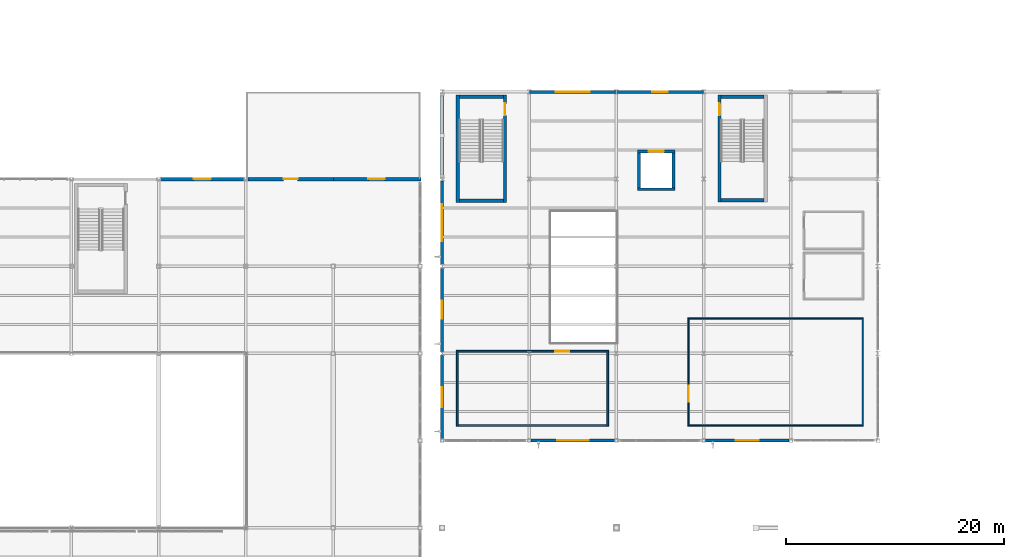
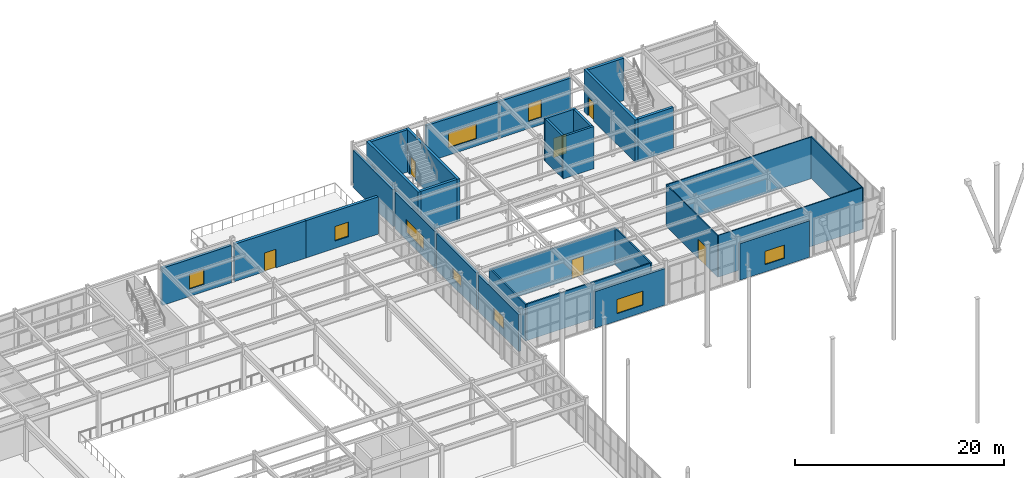
# One storey, part 59 of 77: 30 walls, 9 windows, 6 doors, 15 openings.
"""IFC4 building model written with IfcOpenShell, lengths in metres."""

import ifcopenshell
import ifcopenshell.guid

model = None  # the IFC model being written
_history = None  # IfcOwnerHistory: only IFC2X3 demands one
_inside = {}  # id of a spatial element -> (the spatial element, [elements in it])
_under = {}  # id of a project, library or spatial element -> (it, [spatial elements below it])
_declared = {}  # id of a project -> (the project, [libraries it declares])
_typed = {}  # id of a type object -> (the type object, [elements of that type])
_made_of = {}  # id of a material, layer set ... -> (it, [elements and type objects made of it])


def new_model(schema):
    """Start an empty IFC model of exactly this schema.

    Asked for "IFC4X3", IfcOpenShell would pick the latest addendum, in which some entities
    have other attributes; the version numbers below select the first issue.
    IFC2X3 requires an IfcOwnerHistory on every rooted entity: one is made here for all.
    """
    global model, _history
    if schema == "IFC4X3":
        model = ifcopenshell.file(schema_version=(4, 3, 0, 0))
    else:
        model = ifcopenshell.file(schema=schema)
    _inside.clear()
    _under.clear()
    _declared.clear()
    _typed.clear()
    _made_of.clear()
    _history = None
    if model.schema == "IFC2X3":
        org = make("IfcOrganization", Name="unknown")
        user = make(
            "IfcPersonAndOrganization",
            ThePerson=make("IfcPerson", FamilyName="unknown"),
            TheOrganization=org,
        )
        app = make(
            "IfcApplication",
            ApplicationDeveloper=org,
            Version="unknown",
            ApplicationFullName="unknown",
            ApplicationIdentifier="unknown",
        )
        _history = make(
            "IfcOwnerHistory",
            OwningUser=user,
            OwningApplication=app,
            ChangeAction="ADDED",
            CreationDate=0,
        )
    return model


def make(cls, **values):
    """One entity of the class cls with the attributes given. An attribute that is None is left unset."""
    return model.create_entity(
        cls, **{name: value for name, value in values.items() if value is not None}
    )


def rooted(cls, **values):
    """An entity with a GlobalId (a new one), such as an element, a storey or a relation."""
    return make(cls, GlobalId=ifcopenshell.guid.new(), OwnerHistory=_history, **values)


def si_unit(unit_type, name, prefix=None):
    """IfcSIUnit, for example si_unit("LENGTHUNIT", "METRE", prefix="MILLI")."""
    return make("IfcSIUnit", UnitType=unit_type, Prefix=prefix, Name=name)


def assignment(units):
    """IfcUnitAssignment: the units of a project."""
    return None if units is None else make("IfcUnitAssignment", Units=units)


def point(xyz):
    """IfcCartesianPoint."""
    return None if xyz is None else make("IfcCartesianPoint", Coordinates=xyz)


def direction(xyz):
    """IfcDirection."""
    return None if xyz is None else make("IfcDirection", DirectionRatios=xyz)


def frame(location, z_axis=None, x_axis=None):
    """IfcAxis2Placement3D, a coordinate frame: its origin and axes. An axis left out is left unset."""
    return make(
        "IfcAxis2Placement3D",
        Location=point(location),
        Axis=direction(z_axis),
        RefDirection=direction(x_axis),
    )


def frame_2d(location, x_axis=None):
    """IfcAxis2Placement2D, a coordinate frame in the plane: its origin and x axis."""
    return make(
        "IfcAxis2Placement2D", Location=point(location), RefDirection=direction(x_axis)
    )


def origin():
    """The frame at (0, 0, 0) with its axes left unset."""
    return frame((0.0, 0.0, 0.0))


def place(relative_to, where):
    """IfcLocalPlacement: puts the frame where relative to a parent placement (None: the world)."""
    return make(
        "IfcLocalPlacement", PlacementRelTo=relative_to, RelativePlacement=where
    )


def context(
    kind, dimensions, precision=None, world=None, true_north=None, identifier=None
):
    """IfcGeometricRepresentationContext, for example the 3D "Model" context."""
    return make(
        "IfcGeometricRepresentationContext",
        ContextIdentifier=identifier,
        ContextType=kind,
        CoordinateSpaceDimension=dimensions,
        Precision=precision,
        WorldCoordinateSystem=world,
        TrueNorth=true_north,
    )


def subcontext(parent, identifier, kind, view, scale=None):
    """IfcGeometricRepresentationSubContext, for example "Body" below "Model"."""
    return make(
        "IfcGeometricRepresentationSubContext",
        ContextIdentifier=identifier,
        ContextType=kind,
        ParentContext=parent,
        TargetScale=scale,
        TargetView=view,
    )


def project(units=None, contexts=None):
    """IfcProject with its units and contexts."""
    return rooted(
        "IfcProject",
        Name="project",
        RepresentationContexts=contexts,
        UnitsInContext=assignment(units),
    )


def spatial(cls, under=None, at=None, **own):
    """A site, building, storey or space (cls), placed at a placement, below another one or the project."""
    s = rooted(cls, ObjectPlacement=at, **own)
    if under is not None:
        _under.setdefault(under.id(), (under, []))[1].append(s)
    return s


def profile(cls, at=None, kind="AREA", **sizes):
    """A parametric profile (cls). Its sizes go by their IFC names, for example OverallWidth=200.0."""
    return make(cls, ProfileType=kind, Position=at, **sizes)


def rectangle(**sizes):
    """IfcRectangleProfileDef."""
    return profile("IfcRectangleProfileDef", **sizes)


def extrude(swept, where, along, depth):
    """IfcExtrudedAreaSolid: the profile swept, set in the frame where, extruded along a direction by depth."""
    return make(
        "IfcExtrudedAreaSolid",
        SweptArea=swept,
        Position=where,
        ExtrudedDirection=direction(along),
        Depth=depth,
    )


def shape(context_of_items, identifier, shape_type, items):
    """IfcShapeRepresentation: the items that make up one representation, for example the "Body"."""
    return make(
        "IfcShapeRepresentation",
        ContextOfItems=context_of_items,
        RepresentationIdentifier=identifier,
        RepresentationType=shape_type,
        Items=items,
    )


def material(Name=None, Category=None):
    """IfcMaterial."""
    return make("IfcMaterial", Name=Name, Category=Category)


def layer(
    of_material, thickness, ventilated=None, Name=None, Category=None, Priority=None
):
    """IfcMaterialLayer: one layer of a wall or slab, of a material (None: an air gap)."""
    return make(
        "IfcMaterialLayer",
        Material=of_material,
        LayerThickness=thickness,
        IsVentilated=ventilated,
        Name=Name,
        Category=Category,
        Priority=Priority,
    )


def layer_set(layers, Name=None):
    """IfcMaterialLayerSet."""
    return make("IfcMaterialLayerSet", MaterialLayers=layers, LayerSetName=Name)


def made_of(thing, what):
    """Note that an element or type object is made of a material, layer set ...; save() writes the relation."""
    if what is not None:
        _made_of.setdefault(what.id(), (what, []))[1].append(thing)
    return thing


def type_object(cls, material=None, **own):
    """A type object (cls), such as IfcWallType, which elements share."""
    return made_of(rooted(cls, **own), material)


def element(
    cls,
    number,
    at=None,
    inside=None,
    cuts=None,
    type_object=None,
    material=None,
    context=None,
    identifier="Body",
    shape_type=None,
    held_by="IfcProductDefinitionShape",
    body=None,
    shapes=None,
    **own,
):
    """One element of the class cls, such as IfcWall. Its Tag is "e" and its number.

    at: its placement. inside: the storey or other place that contains it. cuts: it is an
    opening in that element (IfcRelVoidsElement). A single representation is given by context,
    identifier, shape_type and body (its items); several are given by shapes. held_by: the class
    of the entity that holds the representations. save() writes the other relations.
    """
    e = rooted(cls, Tag="e%d" % number, ObjectPlacement=at, **own)
    if body is not None:
        shapes = [shape(context, identifier, shape_type, body)]
    if shapes is not None:
        e.Representation = make(held_by, Representations=shapes)
    if inside is not None:
        _inside.setdefault(inside.id(), (inside, []))[1].append(e)
    if cuts is not None:
        rooted(
            "IfcRelVoidsElement", RelatingBuildingElement=cuts, RelatedOpeningElement=e
        )
    if type_object is not None:
        _typed.setdefault(type_object.id(), (type_object, []))[1].append(e)
    return made_of(e, material)


def fill(opening, filler):
    """IfcRelFillsElement: the door or window that sits in an opening."""
    return rooted(
        "IfcRelFillsElement",
        RelatingOpeningElement=opening,
        RelatedBuildingElement=filler,
    )


def aggregate(whole, parts):
    """IfcRelAggregates: a whole, such as a stair, and the parts it consists of."""
    return rooted("IfcRelAggregates", RelatingObject=whole, RelatedObjects=parts)


def save(model, path):
    """Write the relations noted so far, then the file.

    IfcRelAggregates (storeys below a building ...), IfcRelContainedInSpatialStructure (elements
    in a storey), IfcRelDefinesByType, IfcRelAssociatesMaterial and IfcRelDeclares: one each for
    every whole, place, type object, material and project.
    """
    for whole, parts in _under.values():
        aggregate(whole, parts)
    for where, things in _inside.values():
        rooted(
            "IfcRelContainedInSpatialStructure",
            RelatedElements=things,
            RelatingStructure=where,
        )
    for kind, things in _typed.values():
        rooted("IfcRelDefinesByType", RelatedObjects=things, RelatingType=kind)
    for what, things in _made_of.values():
        rooted("IfcRelAssociatesMaterial", RelatedObjects=things, RelatingMaterial=what)
    for by, libraries in _declared.values():
        rooted("IfcRelDeclares", RelatingContext=by, RelatedDefinitions=libraries)
    model.write(path)


model = new_model("IFC4")

# Units and contexts
model_context = context("Model", 3, precision=1e-05, world=origin(), true_north=direction((0.0, 1.0)))
body_context = subcontext(model_context, "Body", "Model", "MODEL_VIEW")
ifc_project = project(units=[si_unit("LENGTHUNIT", "METRE"), si_unit("AREAUNIT", "SQUARE_METRE"), si_unit("VOLUMEUNIT", "CUBIC_METRE"), si_unit("PLANEANGLEUNIT", "RADIAN"), si_unit("MASSUNIT", "GRAM", prefix="KILO")], contexts=[model_context])

# Site, building, storey
site_placement = place(None, origin())
site = spatial("IfcSite", under=ifc_project, at=site_placement, CompositionType="ELEMENT")
building_placement = place(site_placement, origin())
building = spatial("IfcBuilding", under=site, at=building_placement, Name="Drelvath Fold Interchange", CompositionType="ELEMENT")
storey_placement = place(building_placement, frame((0.0, 0.0, 6.0)))
storey = spatial("IfcBuildingStorey", under=building, at=storey_placement, Name="L01", CompositionType="ELEMENT", Elevation=6.0)

# Wall
ifc_material_1 = material(Name="Concrete f'c 45 MPa (6500 psi)", Category="concrete")
ifc_layer_1 = layer(ifc_material_1, 0.300048828125, Name="Concrete f'c 45 MPa (6500 psi)")
ifc_layer_set_1 = layer_set([ifc_layer_1], Name="Concrete f'c 45 MPa (6500 psi)")
wall_type_1 = type_object("IfcWallType", Name="WL-CR300", PredefinedType="SHEAR", material=ifc_layer_set_1)
wall_1_placement = place(storey_placement, frame((103.60009765625, 97.0, 0.0), z_axis=(0.0, 0.0, 1.0), x_axis=(1.0, 0.0, 0.0)))
element("IfcWall", 1, at=wall_1_placement, inside=storey, type_object=wall_type_1, Name="ST-07 L01 south core wall", PredefinedType="SHEAR", context=body_context, shape_type="SweptSolid", body=[
    extrude(rectangle(XDim=4.02001953125, YDim=0.300048828125, at=frame_2d((2.010009765625, 0.0))), origin(), (0.0, 0.0, 1.0), 4.945068359375),
])

# Wall, opening, door
wall_2_placement = place(storey_placement, frame((107.77001953125, 96.85009765625, 0.0), z_axis=(0.0, 0.0, 1.0), x_axis=(0.0, 1.0, 0.0)))
wall_2 = element("IfcWall", 2, at=wall_2_placement, inside=storey, type_object=wall_type_1, Name="ST-07 L01 east core wall", PredefinedType="SHEAR", context=body_context, shape_type="SweptSolid", body=[
    extrude(rectangle(XDim=9.849853515625, YDim=0.300048828125, at=frame_2d((4.9248046875, 0.0))), origin(), (0.0, 0.0, 1.0), 4.945068359375),
])
opening_1_placement = place(wall_2_placement, frame((8.0, 0.0, 0.0)))
opening_1 = element("IfcOpeningElement", 3, at=opening_1_placement, cuts=wall_2, Name="Opening D-L01-043", PredefinedType="OPENING", context=body_context, shape_type="SweptSolid", body=[
    extrude(rectangle(XDim=1.10009765625, YDim=2.14990234375, at=frame_2d((0.550048828125, 1.074951171875))), frame((0.0, 0.159912109375, 0.0), z_axis=(0.0, -1.0, 0.0), x_axis=(1.0, 0.0, 0.0)), (0.0, 0.0, 1.0), 0.320068359375),
])
ifc_material_2 = material(Name="Insulated Hollow Metal Door Assembly")
door_type_1 = type_object("IfcDoorType", Name="DR-ST1100", OperationType="NOTDEFINED", PredefinedType="DOOR", material=ifc_material_2)
door_1_placement = place(opening_1_placement, origin())
door_1 = element("IfcDoor", 4, at=door_1_placement, inside=storey, type_object=door_type_1, Name="ST-07 L01 stair fire door D-L01-043", OperationType="SINGLE_SWING_LEFT", OverallHeight=2.14990234375, OverallWidth=1.10009765625, PredefinedType="DOOR", context=body_context, shape_type="SweptSolid", body=[
    extrude(rectangle(XDim=1.10009765625, YDim=2.14990234375, at=frame_2d((0.550048828125, 1.074951171875))), frame((0.0, 0.02490234375, 0.0), z_axis=(0.0, -1.0, 0.0), x_axis=(1.0, 0.0, 0.0)), (0.0, 0.0, 1.0), 0.050048828125),
])
fill(opening_1, door_1)

# Walls
wall_3_placement = place(storey_placement, frame((107.6201171875, 106.550048828125, 0.0), z_axis=(0.0, 0.0, 1.0), x_axis=(-1.0, 0.0, 0.0)))
element("IfcWall", 5, at=wall_3_placement, inside=storey, type_object=wall_type_1, Name="ST-07 L01 north core wall", PredefinedType="SHEAR", context=body_context, shape_type="SweptSolid", body=[
    extrude(rectangle(XDim=4.02001953125, YDim=0.300048828125, at=frame_2d((2.010009765625, 0.0))), origin(), (0.0, 0.0, 1.0), 4.945068359375),
])
wall_4_placement = place(storey_placement, frame((103.449951171875, 106.699951171875, 0.0), z_axis=(0.0, 0.0, 1.0), x_axis=(0.0, -1.0, 0.0)))
element("IfcWall", 6, at=wall_4_placement, inside=storey, type_object=wall_type_1, Name="ST-07 L01 west core wall", PredefinedType="SHEAR", context=body_context, shape_type="SweptSolid", body=[
    extrude(rectangle(XDim=9.849853515625, YDim=0.300048828125, at=frame_2d((4.9248046875, 0.0))), origin(), (0.0, 0.0, 1.0), 4.945068359375),
])
for number, where, z_axis, x_axis, name in (
    (7, (127.60009765625, 97.050048828125, 0.0), (0.0, 0.0, 1.0), (1.0, 0.0, 0.0), "ST-08 L01 south core wall"),
    (8, (131.5400390625, 106.550048828125, 0.0), (0.0, 0.0, 1.0), (-1.0, 0.0, 0.0), "ST-08 L01 north core wall"),
):
    element("IfcWall", number, at=place(storey_placement, frame(where, z_axis=z_axis, x_axis=x_axis)), inside=storey, type_object=wall_type_1, Name=name, PredefinedType="SHEAR", context=body_context, shape_type="SweptSolid", body=[
        extrude(rectangle(XDim=3.93994140625, YDim=0.300048828125, at=frame_2d((1.969970703125, 0.0))), origin(), (0.0, 0.0, 1.0), 4.945068359375),
    ])

# Wall, opening, door
wall_5_placement = place(storey_placement, frame((127.449951171875, 106.699951171875, 0.0), z_axis=(0.0, 0.0, 1.0), x_axis=(0.0, -1.0, 0.0)))
wall_5 = element("IfcWall", 9, at=wall_5_placement, inside=storey, type_object=wall_type_1, Name="ST-08 L01 west core wall", PredefinedType="SHEAR", context=body_context, shape_type="SweptSolid", body=[
    extrude(rectangle(XDim=9.800048828125, YDim=0.300048828125, at=frame_2d((4.89990234375, 0.0))), origin(), (0.0, 0.0, 1.0), 4.945068359375),
])
opening_2_placement = place(wall_5_placement, frame((0.75, 0.0, 0.0)))
opening_2 = element("IfcOpeningElement", 10, at=opening_2_placement, cuts=wall_5, Name="Opening D-L01-046", PredefinedType="OPENING", context=body_context, shape_type="SweptSolid", body=[
    extrude(rectangle(XDim=1.10009765625, YDim=2.14990234375, at=frame_2d((0.550048828125, 1.074951171875))), frame((0.0, 0.159912109375, 0.0), z_axis=(0.0, -1.0, 0.0), x_axis=(1.0, 0.0, 0.0)), (0.0, 0.0, 1.0), 0.320068359375),
])
door_2_placement = place(opening_2_placement, origin())
door_2 = element("IfcDoor", 11, at=door_2_placement, inside=storey, type_object=door_type_1, Name="ST-08 L01 stair fire door D-L01-046", OperationType="SINGLE_SWING_RIGHT", OverallHeight=2.14990234375, OverallWidth=1.10009765625, PredefinedType="DOOR", context=body_context, shape_type="SweptSolid", body=[
    extrude(rectangle(XDim=1.10009765625, YDim=2.14990234375, at=frame_2d((0.550048828125, 1.074951171875))), frame((0.0, 0.02490234375, 0.0), z_axis=(0.0, -1.0, 0.0), x_axis=(1.0, 0.0, 0.0)), (0.0, 0.0, 1.0), 0.050048828125),
])
fill(opening_2, door_2)

# Wall, opening, window
ifc_material_3 = material(Name="Perforated Anodized Aluminium Rainscreen", Category="aluminium")
ifc_layer_2 = layer(ifc_material_3, 0.27490234375, Name="Perforated Anodized Aluminium Rainscreen")
ifc_layer_set_2 = layer_set([ifc_layer_2], Name="Perforated Anodized Aluminium Rainscreen")
wall_type_2 = type_object("IfcWallType", Name="WL-EXT275", PredefinedType="SOLIDWALL", material=ifc_layer_set_2)
wall_6_placement = place(storey_placement, frame((110.14794921875, 75.0, 0.0), z_axis=(0.0, 0.0, 1.0), x_axis=(1.0, 0.0, 0.0)))
wall_6 = element("IfcWall", 12, at=wall_6_placement, inside=storey, type_object=wall_type_2, Name="L01 exterior facade wall 37", PredefinedType="SOLIDWALL", context=body_context, shape_type="SweptSolid", body=[
    extrude(rectangle(XDim=7.7041015625, YDim=0.27490234375, at=frame_2d((3.85205078125, 0.0))), origin(), (0.0, 0.0, 1.0), 4.26806640625),
])
opening_3_placement = place(wall_6_placement, frame((2.402099609375, 0.0, 0.85009765625)))
opening_3 = element("IfcOpeningElement", 13, at=opening_3_placement, cuts=wall_6, Name="Opening W-L01-034", PredefinedType="OPENING", context=body_context, shape_type="SweptSolid", body=[
    extrude(rectangle(XDim=2.89990234375, YDim=1.64990234375, at=frame_2d((1.449951171875, 0.824951171875))), frame((0.0, 0.1474609375, 0.0), z_axis=(0.0, -1.0, 0.0), x_axis=(1.0, 0.0, 0.0)), (0.0, 0.0, 1.0), 0.294921875),
])
ifc_material_4 = material(Name="Low-Iron Insulated Laminated Glass", Category="glass")
window_type_1 = type_object("IfcWindowType", Name="WN-290x165", PartitioningType="TRIPLE_PANEL_VERTICAL", PredefinedType="WINDOW", material=ifc_material_4)
window_1_placement = place(opening_3_placement, origin())
window_1 = element("IfcWindow", 14, at=window_1_placement, inside=storey, type_object=window_type_1, Name="Facade window W-L01-034", OverallHeight=1.64990234375, OverallWidth=2.89990234375, PartitioningType="SINGLE_PANEL", PredefinedType="WINDOW", context=body_context, shape_type="SweptSolid", body=[
    extrude(rectangle(XDim=2.89990234375, YDim=1.64990234375, at=frame_2d((1.449951171875, 0.824951171875))), frame((0.0, 0.030029296875, 0.0), z_axis=(0.0, -1.0, 0.0), x_axis=(1.0, 0.0, 0.0)), (0.0, 0.0, 1.0), 0.06005859375),
])
fill(opening_3, window_1)

wall_7_placement = place(storey_placement, frame((126.14794921875, 75.0, 0.0), z_axis=(0.0, 0.0, 1.0), x_axis=(1.0, 0.0, 0.0)))
wall_7 = element("IfcWall", 15, at=wall_7_placement, inside=storey, type_object=wall_type_2, Name="L01 exterior facade wall 38", PredefinedType="SOLIDWALL", context=body_context, shape_type="SweptSolid", body=[
    extrude(rectangle(XDim=7.703125, YDim=0.27490234375, at=frame_2d((3.8515625, 0.0))), origin(), (0.0, 0.0, 1.0), 4.26806640625),
])
opening_4_placement = place(wall_7_placement, frame((2.777099609375, 0.0, 0.85009765625)))
opening_4 = element("IfcOpeningElement", 16, at=opening_4_placement, cuts=wall_7, Name="Opening W-L01-035", PredefinedType="OPENING", context=body_context, shape_type="SweptSolid", body=[
    extrude(rectangle(XDim=2.14990234375, YDim=1.550048828125, at=frame_2d((1.074951171875, 0.77490234375))), frame((0.0, 0.1474609375, 0.0), z_axis=(0.0, -1.0, 0.0), x_axis=(1.0, 0.0, 0.0)), (0.0, 0.0, 1.0), 0.294921875),
])
window_type_2 = type_object("IfcWindowType", Name="WN-215x155", PartitioningType="DOUBLE_PANEL_VERTICAL", PredefinedType="WINDOW", material=ifc_material_4)
window_2_placement = place(opening_4_placement, origin())
window_2 = element("IfcWindow", 17, at=window_2_placement, inside=storey, type_object=window_type_2, Name="Facade window W-L01-035", OverallHeight=1.550048828125, OverallWidth=2.14990234375, PartitioningType="SINGLE_PANEL", PredefinedType="WINDOW", context=body_context, shape_type="SweptSolid", body=[
    extrude(rectangle(XDim=2.14990234375, YDim=1.550048828125, at=frame_2d((1.074951171875, 0.77490234375))), frame((0.0, 0.030029296875, 0.0), z_axis=(0.0, -1.0, 0.0), x_axis=(1.0, 0.0, 0.0)), (0.0, 0.0, 1.0), 0.06005859375),
])
fill(opening_4, window_2)

wall_8_placement = place(storey_placement, frame((102.0, 75.14794921875, 0.0), z_axis=(0.0, 0.0, 1.0), x_axis=(0.0, 1.0, 0.0)))
wall_8 = element("IfcWall", 18, at=wall_8_placement, inside=storey, type_object=wall_type_2, Name="L01 exterior facade wall 39", PredefinedType="SOLIDWALL", context=body_context, shape_type="SweptSolid", body=[
    extrude(rectangle(XDim=7.677978515625, YDim=0.27490234375, at=frame_2d((3.8388671875, 0.0))), origin(), (0.0, 0.0, 1.0), 4.300048828125),
])
opening_5_placement = place(wall_8_placement, frame((2.9140625, 0.0, 0.85009765625)))
opening_5 = element("IfcOpeningElement", 19, at=opening_5_placement, cuts=wall_8, Name="Opening W-L01-036", PredefinedType="OPENING", context=body_context, shape_type="SweptSolid", body=[
    extrude(rectangle(XDim=1.85009765625, YDim=1.39990234375, at=frame_2d((0.925048828125, 0.699951171875))), frame((0.0, 0.1474609375, 0.0), z_axis=(0.0, -1.0, 0.0), x_axis=(1.0, 0.0, 0.0)), (0.0, 0.0, 1.0), 0.294921875),
])
window_type_3 = type_object("IfcWindowType", Name="WN-185x140", PartitioningType="DOUBLE_PANEL_VERTICAL", PredefinedType="WINDOW", material=ifc_material_4)
window_3_placement = place(opening_5_placement, origin())
window_3 = element("IfcWindow", 20, at=window_3_placement, inside=storey, type_object=window_type_3, Name="Facade window W-L01-036", OverallHeight=1.39990234375, OverallWidth=1.85009765625, PartitioningType="SINGLE_PANEL", PredefinedType="WINDOW", context=body_context, shape_type="SweptSolid", body=[
    extrude(rectangle(XDim=1.85009765625, YDim=1.39990234375, at=frame_2d((0.925048828125, 0.699951171875))), frame((0.0, 0.030029296875, 0.0), z_axis=(0.0, -1.0, 0.0), x_axis=(1.0, 0.0, 0.0)), (0.0, 0.0, 1.0), 0.06005859375),
])
fill(opening_5, window_3)

wall_9_placement = place(storey_placement, frame((102.0, 83.174072265625, 0.0), z_axis=(0.0, 0.0, 1.0), x_axis=(0.0, 1.0, 0.0)))
wall_9 = element("IfcWall", 21, at=wall_9_placement, inside=storey, type_object=wall_type_2, Name="L01 exterior facade wall 40", PredefinedType="SOLIDWALL", context=body_context, shape_type="SweptSolid", body=[
    extrude(rectangle(XDim=7.65185546875, YDim=0.27490234375, at=frame_2d((3.825927734375, 0.0))), origin(), (0.0, 0.0, 1.0), 4.300048828125),
])
opening_6_placement = place(wall_9_placement, frame((3.0009765625, 0.0, 0.85009765625)))
opening_6 = element("IfcOpeningElement", 22, at=opening_6_placement, cuts=wall_9, Name="Opening W-L01-037", PredefinedType="OPENING", context=body_context, shape_type="SweptSolid", body=[
    extrude(rectangle(XDim=1.64990234375, YDim=1.300048828125, at=frame_2d((0.824951171875, 0.64990234375))), frame((0.0, 0.1474609375, 0.0), z_axis=(0.0, -1.0, 0.0), x_axis=(1.0, 0.0, 0.0)), (0.0, 0.0, 1.0), 0.294921875),
])
window_type_4 = type_object("IfcWindowType", Name="WN-165x130", PartitioningType="SINGLE_PANEL", PredefinedType="WINDOW", material=ifc_material_4)
window_4_placement = place(opening_6_placement, origin())
window_4 = element("IfcWindow", 23, at=window_4_placement, inside=storey, type_object=window_type_4, Name="Facade window W-L01-037", OverallHeight=1.300048828125, OverallWidth=1.64990234375, PartitioningType="SINGLE_PANEL", PredefinedType="WINDOW", context=body_context, shape_type="SweptSolid", body=[
    extrude(rectangle(XDim=1.64990234375, YDim=1.300048828125, at=frame_2d((0.824951171875, 0.64990234375))), frame((0.0, 0.030029296875, 0.0), z_axis=(0.0, -1.0, 0.0), x_axis=(1.0, 0.0, 0.0)), (0.0, 0.0, 1.0), 0.06005859375),
])
fill(opening_6, window_4)

wall_10_placement = place(storey_placement, frame((102.0, 91.174072265625, 0.0), z_axis=(0.0, 0.0, 1.0), x_axis=(0.0, 1.0, 0.0)))
wall_10 = element("IfcWall", 24, at=wall_10_placement, inside=storey, type_object=wall_type_2, Name="L01 exterior facade wall 41", PredefinedType="SOLIDWALL", context=body_context, shape_type="SweptSolid", body=[
    extrude(rectangle(XDim=7.65185546875, YDim=0.27490234375, at=frame_2d((3.825927734375, 0.0))), origin(), (0.0, 0.0, 1.0), 4.300048828125),
])
opening_7_placement = place(wall_10_placement, frame((2.1259765625, 0.0, 0.85009765625)))
opening_7 = element("IfcOpeningElement", 25, at=opening_7_placement, cuts=wall_10, Name="Opening W-L01-038", PredefinedType="OPENING", context=body_context, shape_type="SweptSolid", body=[
    extrude(rectangle(XDim=3.39990234375, YDim=1.550048828125, at=frame_2d((1.699951171875, 0.77490234375))), frame((0.0, 0.1474609375, 0.0), z_axis=(0.0, -1.0, 0.0), x_axis=(1.0, 0.0, 0.0)), (0.0, 0.0, 1.0), 0.294921875),
])
window_type_5 = type_object("IfcWindowType", Name="WN-340x155", PartitioningType="TRIPLE_PANEL_HORIZONTAL", PredefinedType="WINDOW", material=ifc_material_4)
window_5_placement = place(opening_7_placement, origin())
window_5 = element("IfcWindow", 26, at=window_5_placement, inside=storey, type_object=window_type_5, Name="Facade window W-L01-038", OverallHeight=1.550048828125, OverallWidth=3.39990234375, PartitioningType="SINGLE_PANEL", PredefinedType="WINDOW", context=body_context, shape_type="SweptSolid", body=[
    extrude(rectangle(XDim=3.39990234375, YDim=1.550048828125, at=frame_2d((1.699951171875, 0.77490234375))), frame((0.0, 0.030029296875, 0.0), z_axis=(0.0, -1.0, 0.0), x_axis=(1.0, 0.0, 0.0)), (0.0, 0.0, 1.0), 0.06005859375),
])
fill(opening_7, window_5)

# Wall
wall_11_placement = place(storey_placement, frame((102.0, 99.174072265625, 0.0), z_axis=(0.0, 0.0, 1.0), x_axis=(0.0, 1.0, 0.0)))
element("IfcWall", 27, at=wall_11_placement, inside=storey, type_object=wall_type_2, Name="L01 exterior facade wall 42", PredefinedType="SOLIDWALL", context=body_context, shape_type="SweptSolid", body=[
    extrude(rectangle(XDim=7.65185546875, YDim=0.27490234375, at=frame_2d((3.825927734375, 0.0))), origin(), (0.0, 0.0, 1.0), 4.300048828125),
])

# Wall, opening, window
wall_12_placement = place(storey_placement, frame((110.008056640625, 107.0, 0.0), z_axis=(0.0, 0.0, 1.0), x_axis=(1.0, 0.0, 0.0)))
wall_12 = element("IfcWall", 28, at=wall_12_placement, inside=storey, type_object=wall_type_2, Name="L01 exterior facade wall 43", PredefinedType="SOLIDWALL", context=body_context, shape_type="SweptSolid", body=[
    extrude(rectangle(XDim=7.98388671875, YDim=0.27490234375, at=frame_2d((3.991943359375, 0.0))), origin(), (0.0, 0.0, 1.0), 4.300048828125),
])
opening_8_placement = place(wall_12_placement, frame((2.44189453125, 0.0, 0.85009765625)))
opening_8 = element("IfcOpeningElement", 29, at=opening_8_placement, cuts=wall_12, Name="Opening W-L01-039", PredefinedType="OPENING", context=body_context, shape_type="SweptSolid", body=[
    extrude(rectangle(XDim=3.10009765625, YDim=1.75, at=frame_2d((1.550048828125, 0.875))), frame((0.0, 0.1474609375, 0.0), z_axis=(0.0, -1.0, 0.0), x_axis=(1.0, 0.0, 0.0)), (0.0, 0.0, 1.0), 0.294921875),
])
window_type_6 = type_object("IfcWindowType", Name="WN-310x175", PartitioningType="TRIPLE_PANEL_HORIZONTAL", PredefinedType="WINDOW", material=ifc_material_4)
window_6_placement = place(opening_8_placement, origin())
window_6 = element("IfcWindow", 30, at=window_6_placement, inside=storey, type_object=window_type_6, Name="Facade window W-L01-039", OverallHeight=1.75, OverallWidth=3.10009765625, PartitioningType="SINGLE_PANEL", PredefinedType="WINDOW", context=body_context, shape_type="SweptSolid", body=[
    extrude(rectangle(XDim=3.10009765625, YDim=1.75, at=frame_2d((1.550048828125, 0.875))), frame((0.0, 0.030029296875, 0.0), z_axis=(0.0, -1.0, 0.0), x_axis=(1.0, 0.0, 0.0)), (0.0, 0.0, 1.0), 0.06005859375),
])
fill(opening_8, window_6)

wall_13_placement = place(storey_placement, frame((118.008056640625, 107.0, 0.0), z_axis=(0.0, 0.0, 1.0), x_axis=(1.0, 0.0, 0.0)))
wall_13 = element("IfcWall", 31, at=wall_13_placement, inside=storey, type_object=wall_type_2, Name="L01 exterior facade wall 44", PredefinedType="SOLIDWALL", context=body_context, shape_type="SweptSolid", body=[
    extrude(rectangle(XDim=7.98388671875, YDim=0.27490234375, at=frame_2d((3.991943359375, 0.0))), origin(), (0.0, 0.0, 1.0), 4.300048828125),
])
opening_9_placement = place(wall_13_placement, frame((3.26708984375, 0.0, 0.85009765625)))
opening_9 = element("IfcOpeningElement", 32, at=opening_9_placement, cuts=wall_13, Name="Opening W-L01-040", PredefinedType="OPENING", context=body_context, shape_type="SweptSolid", body=[
    extrude(rectangle(XDim=1.449951171875, YDim=2.050048828125, at=frame_2d((0.72509765625, 1.02490234375))), frame((0.0, 0.1474609375, 0.0), z_axis=(0.0, -1.0, 0.0), x_axis=(1.0, 0.0, 0.0)), (0.0, 0.0, 1.0), 0.294921875),
])
window_type_7 = type_object("IfcWindowType", Name="WN-145x205", PartitioningType="SINGLE_PANEL", PredefinedType="WINDOW", material=ifc_material_4)
window_7_placement = place(opening_9_placement, origin())
window_7 = element("IfcWindow", 33, at=window_7_placement, inside=storey, type_object=window_type_7, Name="Facade window W-L01-040", OverallHeight=2.050048828125, OverallWidth=1.449951171875, PartitioningType="SINGLE_PANEL", PredefinedType="WINDOW", context=body_context, shape_type="SweptSolid", body=[
    extrude(rectangle(XDim=1.449951171875, YDim=2.050048828125, at=frame_2d((0.72509765625, 1.02490234375))), frame((0.0, 0.030029296875, 0.0), z_axis=(0.0, -1.0, 0.0), x_axis=(1.0, 0.0, 0.0)), (0.0, 0.0, 1.0), 0.06005859375),
])
fill(opening_9, window_7)

ifc_material_5 = material(Name="Precast concrete f'c 40 MPa (6000 psi)", Category="concrete")
ifc_layer_3 = layer(ifc_material_5, 0.31494140625, Name="Precast concrete f'c 40 MPa (6000 psi)")
ifc_layer_set_3 = layer_set([ifc_layer_3], Name="Precast concrete f'c 40 MPa (6000 psi)")
wall_type_3 = type_object("IfcWallType", Name="WL-EXT315", PredefinedType="SOLIDWALL", material=ifc_layer_set_3)
wall_14_placement = place(storey_placement, frame((76.174072265625, 99.0, 0.0), z_axis=(0.0, 0.0, 1.0), x_axis=(1.0, 0.0, 0.0)))
wall_14 = element("IfcWall", 34, at=wall_14_placement, inside=storey, type_object=wall_type_3, Name="L01 exterior facade wall 12", PredefinedType="SOLIDWALL", context=body_context, shape_type="SweptSolid", body=[
    extrude(rectangle(XDim=7.65185546875, YDim=0.31494140625, at=frame_2d((3.825927734375, 0.0))), origin(), (0.0, 0.0, 1.0), 4.35009765625),
])
opening_10_placement = place(wall_14_placement, frame((3.02587890625, 0.0, 0.85009765625)))
opening_10 = element("IfcOpeningElement", 35, at=opening_10_placement, cuts=wall_14, Name="Opening W-L01-012", PredefinedType="OPENING", context=body_context, shape_type="SweptSolid", body=[
    extrude(rectangle(XDim=1.60009765625, YDim=1.800048828125, at=frame_2d((0.800048828125, 0.89990234375))), frame((0.0, 0.16748046875, 0.0), z_axis=(0.0, -1.0, 0.0), x_axis=(1.0, 0.0, 0.0)), (0.0, 0.0, 1.0), 0.3349609375),
])
window_type_8 = type_object("IfcWindowType", Name="WN-160x180", PartitioningType="SINGLE_PANEL", PredefinedType="WINDOW", material=ifc_material_4)
window_8_placement = place(opening_10_placement, origin())
window_8 = element("IfcWindow", 36, at=window_8_placement, inside=storey, type_object=window_type_8, Name="Facade window W-L01-012", OverallHeight=1.800048828125, OverallWidth=1.60009765625, PartitioningType="SINGLE_PANEL", PredefinedType="WINDOW", context=body_context, shape_type="SweptSolid", body=[
    extrude(rectangle(XDim=1.60009765625, YDim=1.800048828125, at=frame_2d((0.800048828125, 0.89990234375))), frame((0.0, 0.030029296875, 0.0), z_axis=(0.0, -1.0, 0.0), x_axis=(1.0, 0.0, 0.0)), (0.0, 0.0, 1.0), 0.06005859375),
])
fill(opening_10, window_8)

# Wall, opening, door
wall_15_placement = place(storey_placement, frame((84.174072265625, 99.0, 0.0), z_axis=(0.0, 0.0, 1.0), x_axis=(1.0, 0.0, 0.0)))
wall_15 = element("IfcWall", 37, at=wall_15_placement, inside=storey, type_object=wall_type_3, Name="L01 exterior facade wall 13", PredefinedType="SOLIDWALL", context=body_context, shape_type="SweptSolid", body=[
    extrude(rectangle(XDim=7.870849609375, YDim=0.31494140625, at=frame_2d((3.935546875, 0.0))), origin(), (0.0, 0.0, 1.0), 4.35009765625),
])
opening_11_placement = place(wall_15_placement, frame((3.284912109375, 0.0, 0.0)))
opening_11 = element("IfcOpeningElement", 38, at=opening_11_placement, cuts=wall_15, Name="Opening D-L01-064", PredefinedType="OPENING", context=body_context, shape_type="SweptSolid", body=[
    extrude(rectangle(XDim=1.300048828125, YDim=2.179931640625, at=frame_2d((0.64990234375, 1.08984375))), frame((0.0, 0.16748046875, 0.0), z_axis=(0.0, -1.0, 0.0), x_axis=(1.0, 0.0, 0.0)), (0.0, 0.0, 1.0), 0.3349609375),
])
ifc_material_6 = material(Name="Anodized Aluminium Glazed Door Assembly", Category="aluminium")
door_type_2 = type_object("IfcDoorType", Name="DR-TR1300", OperationType="NOTDEFINED", PredefinedType="DOOR", material=ifc_material_6)
door_3_placement = place(opening_11_placement, origin())
door_3 = element("IfcDoor", 39, at=door_3_placement, inside=storey, type_object=door_type_2, Name="L01 outdoor terrace access door D-L01-064", OperationType="SINGLE_SWING_LEFT", OverallHeight=2.179931640625, OverallWidth=1.300048828125, PredefinedType="DOOR", context=body_context, shape_type="SweptSolid", body=[
    extrude(rectangle(XDim=1.300048828125, YDim=2.179931640625, at=frame_2d((0.64990234375, 1.08984375))), frame((0.0, 0.02490234375, 0.0), z_axis=(0.0, -1.0, 0.0), x_axis=(1.0, 0.0, 0.0)), (0.0, 0.0, 1.0), 0.050048828125),
])
fill(opening_11, door_3)

# Wall, opening, window
wall_16_placement = place(storey_placement, frame((91.955078125, 99.0, 0.0), z_axis=(0.0, 0.0, 1.0), x_axis=(1.0, 0.0, 0.0)))
wall_16 = element("IfcWall", 40, at=wall_16_placement, inside=storey, type_object=wall_type_3, Name="L01 exterior facade wall 14", PredefinedType="SOLIDWALL", context=body_context, shape_type="SweptSolid", body=[
    extrude(rectangle(XDim=8.08984375, YDim=0.31494140625, at=frame_2d((4.044921875, 0.0))), origin(), (0.0, 0.0, 1.0), 4.35009765625),
])
opening_12_placement = place(wall_16_placement, frame((3.294921875, 0.0, 0.85009765625)))
opening_12 = element("IfcOpeningElement", 41, at=opening_12_placement, cuts=wall_16, Name="Opening W-L01-013", PredefinedType="OPENING", context=body_context, shape_type="SweptSolid", body=[
    extrude(rectangle(XDim=1.5, YDim=1.699951171875, at=frame_2d((0.75, 0.85009765625))), frame((0.0, 0.16748046875, 0.0), z_axis=(0.0, -1.0, 0.0), x_axis=(1.0, 0.0, 0.0)), (0.0, 0.0, 1.0), 0.3349609375),
])
window_type_9 = type_object("IfcWindowType", Name="WN-150x170", PartitioningType="SINGLE_PANEL", PredefinedType="WINDOW", material=ifc_material_4)
window_9_placement = place(opening_12_placement, origin())
window_9 = element("IfcWindow", 42, at=window_9_placement, inside=storey, type_object=window_type_9, Name="Facade window W-L01-013", OverallHeight=1.699951171875, OverallWidth=1.5, PartitioningType="SINGLE_PANEL", PredefinedType="WINDOW", context=body_context, shape_type="SweptSolid", body=[
    extrude(rectangle(XDim=1.5, YDim=1.699951171875, at=frame_2d((0.75, 0.85009765625))), frame((0.0, 0.030029296875, 0.0), z_axis=(0.0, -1.0, 0.0), x_axis=(1.0, 0.0, 0.0)), (0.0, 0.0, 1.0), 0.06005859375),
])
fill(opening_12, window_9)

# Walls
ifc_material_7 = material(Name="Fire-Rated Gypsum Board Assembly")
ifc_layer_4 = layer(ifc_material_7, 0.159912109375, Name="Fire-Rated Gypsum Board Assembly")
ifc_layer_set_4 = layer_set([ifc_layer_4], Name="Fire-Rated Gypsum Board Assembly")
wall_type_4 = type_object("IfcWallType", Name="WL-FR160", PredefinedType="PARTITIONING", material=ifc_layer_set_4)
wall_17_placement = place(storey_placement, frame((103.47998046875, 76.39990234375, 0.0), z_axis=(0.0, 0.0, 1.0), x_axis=(1.0, 0.0, 0.0)))
element("IfcWall", 43, at=wall_17_placement, inside=storey, type_object=wall_type_4, Name="Electric Bike Charging Studio S partition", PredefinedType="PARTITIONING", context=body_context, shape_type="SweptSolid", body=[
    extrude(rectangle(XDim=13.64013671875, YDim=0.159912109375, at=frame_2d((6.820068359375, 0.0))), origin(), (0.0, 0.0, 1.0), 4.26806640625),
])
wall_18_placement = place(storey_placement, frame((117.199951171875, 76.320068359375, 0.0), z_axis=(0.0, 0.0, 1.0), x_axis=(0.0, 1.0, 0.0)))
element("IfcWall", 44, at=wall_18_placement, inside=storey, type_object=wall_type_4, Name="Electric Bike Charging Studio E partition", PredefinedType="PARTITIONING", context=body_context, shape_type="SweptSolid", body=[
    extrude(rectangle(XDim=6.9599609375, YDim=0.159912109375, at=frame_2d((3.47998046875, 0.0))), origin(), (0.0, 0.0, 1.0), 4.26806640625),
])

# Wall, opening, door
wall_19_placement = place(storey_placement, frame((117.1201171875, 83.199951171875, 0.0), z_axis=(0.0, 0.0, 1.0), x_axis=(-1.0, 0.0, 0.0)))
wall_19 = element("IfcWall", 45, at=wall_19_placement, inside=storey, type_object=wall_type_4, Name="Electric Bike Charging Studio N partition", PredefinedType="PARTITIONING", context=body_context, shape_type="SweptSolid", body=[
    extrude(rectangle(XDim=13.64013671875, YDim=0.159912109375, at=frame_2d((6.820068359375, 0.0))), origin(), (0.0, 0.0, 1.0), 4.26806640625),
])
opening_13_placement = place(wall_19_placement, frame((3.4619140625, 0.0, 0.0)))
opening_13 = element("IfcOpeningElement", 46, at=opening_13_placement, cuts=wall_19, Name="Opening D-L01-110", PredefinedType="OPENING", context=body_context, shape_type="SweptSolid", body=[
    extrude(rectangle(XDim=1.260009765625, YDim=2.199951171875, at=frame_2d((0.6298828125, 1.10009765625))), frame((0.0, 0.08984375, 0.0), z_axis=(0.0, -1.0, 0.0), x_axis=(1.0, 0.0, 0.0)), (0.0, 0.0, 1.0), 0.179931640625),
])
door_type_3 = type_object("IfcDoorType", Name="DR-FD126", OperationType="NOTDEFINED", PredefinedType="DOOR", material=ifc_material_2)
door_4_placement = place(opening_13_placement, origin())
door_4 = element("IfcDoor", 47, at=door_4_placement, inside=storey, type_object=door_type_3, Name="Electric Bike Charging Studio door D-L01-110", OperationType="SINGLE_SWING_RIGHT", OverallHeight=2.199951171875, OverallWidth=1.260009765625, PredefinedType="DOOR", context=body_context, shape_type="SweptSolid", body=[
    extrude(rectangle(XDim=1.260009765625, YDim=2.199951171875, at=frame_2d((0.6298828125, 1.10009765625))), frame((0.0, 0.02490234375, 0.0), z_axis=(0.0, -1.0, 0.0), x_axis=(1.0, 0.0, 0.0)), (0.0, 0.0, 1.0), 0.050048828125),
])
fill(opening_13, door_4)

# Walls
wall_20_placement = place(storey_placement, frame((103.39990234375, 83.280029296875, 0.0), z_axis=(0.0, 0.0, 1.0), x_axis=(0.0, -1.0, 0.0)))
element("IfcWall", 48, at=wall_20_placement, inside=storey, type_object=wall_type_4, Name="Electric Bike Charging Studio W partition", PredefinedType="PARTITIONING", context=body_context, shape_type="SweptSolid", body=[
    extrude(rectangle(XDim=6.9599609375, YDim=0.159912109375, at=frame_2d((3.47998046875, 0.0))), origin(), (0.0, 0.0, 1.0), 4.26806640625),
])
ifc_material_8 = material(Name="Acoustic Gypsum Board Partition Assembly")
ifc_layer_5 = layer(ifc_material_8, 0.114990234375, Name="Acoustic Gypsum Board Partition Assembly")
ifc_layer_set_5 = layer_set([ifc_layer_5], Name="Acoustic Gypsum Board Partition Assembly")
wall_type_5 = type_object("IfcWallType", Name="WL-PT115", PredefinedType="PARTITIONING", material=ifc_layer_set_5)
wall_21_placement = place(storey_placement, frame((124.656982421875, 76.39990234375, 0.0), z_axis=(0.0, 0.0, 1.0), x_axis=(1.0, 0.0, 0.0)))
element("IfcWall", 49, at=wall_21_placement, inside=storey, type_object=wall_type_5, Name="Commuter Cycling Club Lounge S partition", PredefinedType="PARTITIONING", context=body_context, shape_type="SweptSolid", body=[
    extrude(rectangle(XDim=15.885009765625, YDim=0.114990234375, at=frame_2d((7.9423828125, 0.0))), origin(), (0.0, 0.0, 1.0), 4.8701171875),
])
wall_22_placement = place(storey_placement, frame((140.60009765625, 76.343017578125, 0.0), z_axis=(0.0, 0.0, 1.0), x_axis=(0.0, 1.0, 0.0)))
element("IfcWall", 50, at=wall_22_placement, inside=storey, type_object=wall_type_5, Name="Commuter Cycling Club Lounge E partition", PredefinedType="PARTITIONING", context=body_context, shape_type="SweptSolid", body=[
    extrude(rectangle(XDim=9.9150390625, YDim=0.114990234375, at=frame_2d((4.95751953125, 0.0))), origin(), (0.0, 0.0, 1.0), 4.8701171875),
])
wall_23_placement = place(storey_placement, frame((140.5419921875, 86.199951171875, 0.0), z_axis=(0.0, 0.0, 1.0), x_axis=(-1.0, 0.0, 0.0)))
element("IfcWall", 51, at=wall_23_placement, inside=storey, type_object=wall_type_5, Name="Commuter Cycling Club Lounge N partition", PredefinedType="PARTITIONING", context=body_context, shape_type="SweptSolid", body=[
    extrude(rectangle(XDim=15.885009765625, YDim=0.114990234375, at=frame_2d((7.9423828125, 0.0))), origin(), (0.0, 0.0, 1.0), 4.8701171875),
])

# Wall, opening, door
wall_24_placement = place(storey_placement, frame((124.60009765625, 86.258056640625, 0.0), z_axis=(0.0, 0.0, 1.0), x_axis=(0.0, -1.0, 0.0)))
wall_24 = element("IfcWall", 52, at=wall_24_placement, inside=storey, type_object=wall_type_5, Name="Commuter Cycling Club Lounge W partition", PredefinedType="PARTITIONING", context=body_context, shape_type="SweptSolid", body=[
    extrude(rectangle(XDim=9.9150390625, YDim=0.114990234375, at=frame_2d((4.95751953125, 0.0))), origin(), (0.0, 0.0, 1.0), 4.8701171875),
])
opening_14_placement = place(wall_24_placement, frame((6.2099609375, 0.0, 0.0)))
opening_14 = element("IfcOpeningElement", 53, at=opening_14_placement, cuts=wall_24, Name="Opening D-L01-111", PredefinedType="OPENING", context=body_context, shape_type="SweptSolid", body=[
    extrude(rectangle(XDim=1.4599609375, YDim=2.199951171875, at=frame_2d((0.72998046875, 1.10009765625))), frame((0.0, 0.0673828125, 0.0), z_axis=(0.0, -1.0, 0.0), x_axis=(1.0, 0.0, 0.0)), (0.0, 0.0, 1.0), 0.135009765625),
])
door_type_4 = type_object("IfcDoorType", Name="DR-NR146", OperationType="DOUBLE_DOOR_SINGLE_SWING", PredefinedType="DOOR", material=ifc_material_6)
door_5_placement = place(opening_14_placement, origin())
door_5 = element("IfcDoor", 54, at=door_5_placement, inside=storey, type_object=door_type_4, Name="Commuter Cycling Club Lounge door D-L01-111", OperationType="DOUBLE_DOOR_SINGLE_SWING", OverallHeight=2.199951171875, OverallWidth=1.4599609375, PredefinedType="DOOR", context=body_context, shape_type="SweptSolid", body=[
    extrude(rectangle(XDim=1.4599609375, YDim=2.199951171875, at=frame_2d((0.72998046875, 1.10009765625))), frame((0.0, 0.02490234375, 0.0), z_axis=(0.0, -1.0, 0.0), x_axis=(1.0, 0.0, 0.0)), (0.0, 0.0, 1.0), 0.050048828125),
])
fill(opening_14, door_5)

# Wall
ifc_layer_6 = layer(ifc_material_1, 0.25, Name="Concrete f'c 45 MPa (6500 psi)")
ifc_layer_set_6 = layer_set([ifc_layer_6], Name="Concrete f'c 45 MPa (6500 psi)")
wall_type_6 = type_object("IfcWallType", Name="WL-SH250", PredefinedType="SOLIDWALL", material=ifc_layer_set_6)
wall_25_placement = place(storey_placement, frame((119.949951171875, 98.074951171875, 0.0), z_axis=(0.0, 0.0, 1.0), x_axis=(1.0, 0.0, 0.0)))
element("IfcWall", 55, at=wall_25_placement, inside=storey, type_object=wall_type_6, Name="LF-08 L01 south shaft wall", PredefinedType="SOLIDWALL", context=body_context, shape_type="SweptSolid", body=[
    extrude(rectangle(XDim=3.400146484375, YDim=0.25, at=frame_2d((1.7001953125, 0.0))), origin(), (0.0, 0.0, 1.0), 4.945068359375),
])

# Wall, opening, door
wall_26_placement = place(storey_placement, frame((123.35009765625, 101.52490234375, 0.0), z_axis=(0.0, 0.0, 1.0), x_axis=(-1.0, 0.0, 0.0)))
wall_26 = element("IfcWall", 56, at=wall_26_placement, inside=storey, type_object=wall_type_6, Name="LF-08 L01 north shaft wall", PredefinedType="SOLIDWALL", context=body_context, shape_type="SweptSolid", body=[
    extrude(rectangle(XDim=3.400146484375, YDim=0.25, at=frame_2d((1.7001953125, 0.0))), origin(), (0.0, 0.0, 1.0), 4.945068359375),
])
opening_15_placement = place(wall_26_placement, frame((1.0, 0.0, 0.0)))
opening_15 = element("IfcOpeningElement", 57, at=opening_15_placement, cuts=wall_26, Name="Opening LD-LF-08-L01", PredefinedType="OPENING", context=body_context, shape_type="SweptSolid", body=[
    extrude(rectangle(XDim=1.39990234375, YDim=2.25, at=frame_2d((0.699951171875, 1.125))), frame((0.0, 0.135009765625, 0.0), z_axis=(0.0, -1.0, 0.0), x_axis=(1.0, 0.0, 0.0)), (0.0, 0.0, 1.0), 0.27001953125),
])
door_type_5 = type_object("IfcDoorType", Name="DR-LD1400", OperationType="DOUBLE_DOOR_SLIDING", PredefinedType="DOOR", material=ifc_material_2)
door_6_placement = place(opening_15_placement, frame((1.39990234375, 0.0, 0.0), z_axis=(0.0, 0.0, 1.0), x_axis=(-1.0, 0.0, 0.0)))
door_6 = element("IfcDoor", 58, at=door_6_placement, inside=storey, type_object=door_type_5, Name="LF-08 L01 lift landing sliding door LD-LF-08-L01", OperationType="DOUBLE_DOOR_SLIDING", OverallHeight=2.25, OverallWidth=1.39990234375, PredefinedType="DOOR", context=body_context, shape_type="SweptSolid", body=[
    extrude(rectangle(XDim=1.39990234375, YDim=2.25, at=frame_2d((0.699951171875, 1.125))), frame((0.0, 0.02490234375, 0.0), z_axis=(0.0, -1.0, 0.0), x_axis=(1.0, 0.0, 0.0)), (0.0, 0.0, 1.0), 0.050048828125),
])
fill(opening_15, door_6)

# Walls
for number, where, z_axis, x_axis, name in (
    (59, (123.22509765625, 98.199951171875, 0.0), (0.0, 0.0, 1.0), (0.0, 1.0, 0.0), "LF-08 L01 east shaft wall"),
    (60, (120.074951171875, 101.39990234375, 0.0), (0.0, 0.0, 1.0), (0.0, -1.0, 0.0), "LF-08 L01 west shaft wall"),
):
    element("IfcWall", number, at=place(storey_placement, frame(where, z_axis=z_axis, x_axis=x_axis)), inside=storey, type_object=wall_type_6, Name=name, PredefinedType="SOLIDWALL", context=body_context, shape_type="SweptSolid", body=[
        extrude(rectangle(XDim=3.199951171875, YDim=0.25, at=frame_2d((1.60009765625, 0.0))), origin(), (0.0, 0.0, 1.0), 4.945068359375),
    ])

save(model, "model.ifc")
